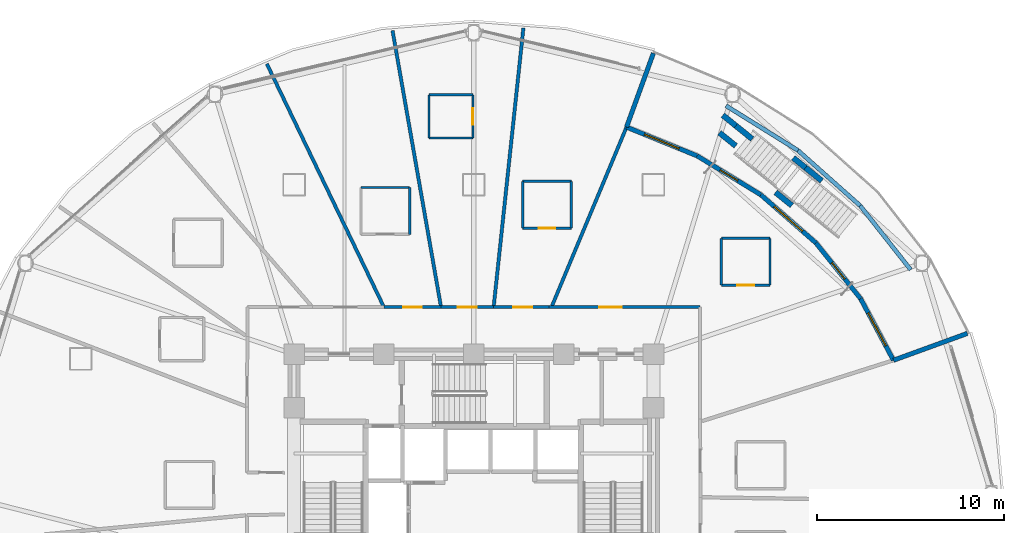
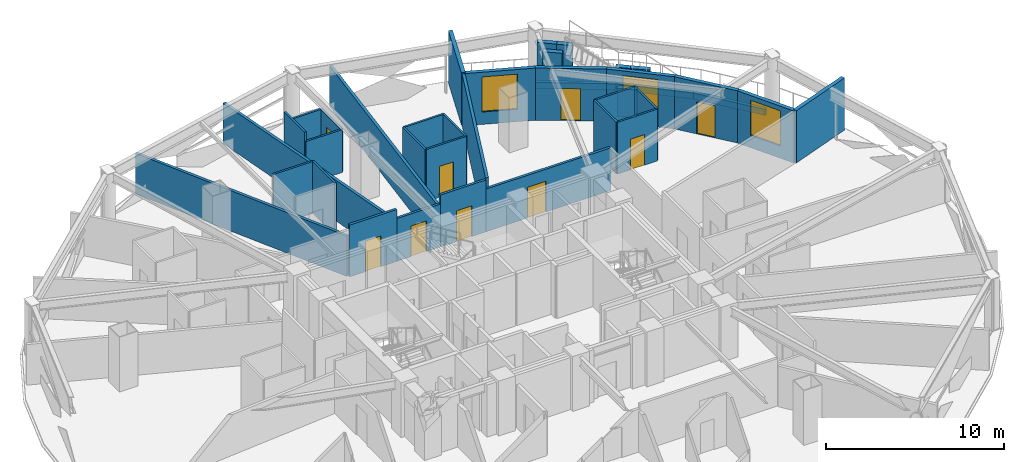
# One storey, part 27 of 33: 38 walls, 9 doors, 3 windows, 12 openings.
"""IFC4 building model written with IfcOpenShell, lengths in metres."""

from ifc_helpers import new_model, si_unit, direction, frame, frame_2d, origin, place, context, subcontext, project, spatial, rectangle, extrude, material, layer, layer_set, type_object, element, fill, save


model = new_model("IFC4")

# Units and contexts
model_context = context("Model", 3, precision=1e-05, world=origin(), true_north=direction((0.0, 1.0)))
body_context = subcontext(model_context, "Body", "Model", "MODEL_VIEW")
ifc_project = project(units=[si_unit("LENGTHUNIT", "METRE"), si_unit("AREAUNIT", "SQUARE_METRE"), si_unit("VOLUMEUNIT", "CUBIC_METRE"), si_unit("PLANEANGLEUNIT", "RADIAN"), si_unit("MASSUNIT", "GRAM", prefix="KILO")], contexts=[model_context])

# Site, building, storey
site_placement = place(None, origin())
site = spatial("IfcSite", under=ifc_project, at=site_placement, CompositionType="ELEMENT")
building_placement = place(site_placement, origin())
building = spatial("IfcBuilding", under=site, at=building_placement, Name="Vantalir Tower", CompositionType="ELEMENT")
storey_placement = place(building_placement, frame((0.0, 0.0, 68.25)))
storey = spatial("IfcBuildingStorey", under=building, at=storey_placement, Name="L16", CompositionType="ELEMENT", Elevation=68.25)

# Wall, opening, door
ifc_material_1 = material(Name="Moisture-resistant en-suite partition", Category="gypsum")
ifc_layer_1 = layer(ifc_material_1, 0.125)
ifc_layer_set_1 = layer_set([ifc_layer_1], Name="Moisture-resistant en-suite partition")
wall_type_1 = type_object("IfcWallType", Name="WL-BATH-125", PredefinedType="PARTITIONING", material=ifc_layer_set_1)
wall_1_placement = place(storey_placement, frame((44.72412109375, 36.137939453125, 0.0), z_axis=(0.0, 0.0, 1.0), x_axis=(1.0, 0.0, 0.0)))
wall_1 = element("IfcWall", 1, at=wall_1_placement, inside=storey, type_object=wall_type_1, Name="L16 En-suite 01 South Wall", PredefinedType="PARTITIONING", context=body_context, shape_type="SweptSolid", body=[
    extrude(rectangle(XDim=2.599853515625, YDim=0.125, at=frame_2d((1.2998046875, 0.0))), origin(), (0.0, 0.0, 1.0), 3.550048828125),
])
opening_1_placement = place(wall_1_placement, frame((0.85009765625, 0.0, 0.0)))
opening_1 = element("IfcOpeningElement", 2, at=opening_1_placement, cuts=wall_1, Name="Opening D-WC", PredefinedType="OPENING", context=body_context, shape_type="SweptSolid", body=[
    extrude(rectangle(XDim=0.89990234375, YDim=2.10009765625, at=frame_2d((0.449951171875, 1.050048828125))), frame((0.0, 0.072509765625, 0.0), z_axis=(0.0, -1.0, 0.0), x_axis=(1.0, 0.0, 0.0)), (0.0, 0.0, 1.0), 0.14501953125),
])
ifc_material_2 = material(Name="Moisture-resistant hardwood door", Category="wood")
door_type_1 = type_object("IfcDoorType", Name="DR-ENSUITE-900", OperationType="NOTDEFINED", PredefinedType="DOOR", material=ifc_material_2)
door_1_placement = place(opening_1_placement, origin())
door_1 = element("IfcDoor", 3, at=door_1_placement, inside=storey, type_object=door_type_1, Name="L16 En-suite 01 Door", OperationType="SINGLE_SWING_RIGHT", OverallHeight=2.10009765625, OverallWidth=0.89990234375, PredefinedType="DOOR", context=body_context, shape_type="SweptSolid", body=[
    extrude(rectangle(XDim=0.89990234375, YDim=2.10009765625, at=frame_2d((0.449951171875, 1.050048828125))), frame((0.0, 0.02490234375, 0.0), z_axis=(0.0, -1.0, 0.0), x_axis=(1.0, 0.0, 0.0)), (0.0, 0.0, 1.0), 0.050048828125),
])
fill(opening_1, door_1)

# Walls
wall_2_placement = place(storey_placement, frame((44.72412109375, 38.637939453125, 0.0), z_axis=(0.0, 0.0, 1.0), x_axis=(1.0, 0.0, 0.0)))
element("IfcWall", 4, at=wall_2_placement, inside=storey, type_object=wall_type_1, Name="L16 En-suite 01 North Wall", PredefinedType="PARTITIONING", context=body_context, shape_type="SweptSolid", body=[
    extrude(rectangle(XDim=2.599853515625, YDim=0.125, at=frame_2d((1.2998046875, 0.0))), origin(), (0.0, 0.0, 1.0), 3.550048828125),
])
for number, where, z_axis, x_axis, name in (
    (5, (44.72412109375, 36.137939453125, 0.0), (0.0, 0.0, 1.0), (0.0, 1.0, 0.0), "L16 En-suite 01 West Wall"),
    (6, (47.323974609375, 36.137939453125, 0.0), (0.0, 0.0, 1.0), (0.0, 1.0, 0.0), "L16 En-suite 01 East Wall"),
):
    element("IfcWall", number, at=place(storey_placement, frame(where, z_axis=z_axis, x_axis=x_axis)), inside=storey, type_object=wall_type_1, Name=name, PredefinedType="PARTITIONING", context=body_context, shape_type="SweptSolid", body=[
        extrude(rectangle(XDim=2.5, YDim=0.125, at=frame_2d((1.25, 0.0))), origin(), (0.0, 0.0, 1.0), 3.550048828125),
    ])

# Wall, opening, door
wall_3_placement = place(storey_placement, frame((34.110107421875, 39.18310546875, 0.0), z_axis=(0.0, 0.0, 1.0), x_axis=(1.0, 0.0, 0.0)))
wall_3 = element("IfcWall", 7, at=wall_3_placement, inside=storey, type_object=wall_type_1, Name="L16 En-suite 02 South Wall", PredefinedType="PARTITIONING", context=body_context, shape_type="SweptSolid", body=[
    extrude(rectangle(XDim=2.599853515625, YDim=0.125, at=frame_2d((1.2998046875, 0.0))), origin(), (0.0, 0.0, 1.0), 3.550048828125),
])
opening_2_placement = place(wall_3_placement, frame((0.85009765625, 0.0, 0.0)))
opening_2 = element("IfcOpeningElement", 8, at=opening_2_placement, cuts=wall_3, Name="Opening D-WC", PredefinedType="OPENING", context=body_context, shape_type="SweptSolid", body=[
    extrude(rectangle(XDim=0.89990234375, YDim=2.10009765625, at=frame_2d((0.449951171875, 1.050048828125))), frame((0.0, 0.072509765625, 0.0), z_axis=(0.0, -1.0, 0.0), x_axis=(1.0, 0.0, 0.0)), (0.0, 0.0, 1.0), 0.14501953125),
])
door_2_placement = place(opening_2_placement, origin())
door_2 = element("IfcDoor", 9, at=door_2_placement, inside=storey, type_object=door_type_1, Name="L16 En-suite 02 Door", OperationType="SINGLE_SWING_LEFT", OverallHeight=2.10009765625, OverallWidth=0.89990234375, PredefinedType="DOOR", context=body_context, shape_type="SweptSolid", body=[
    extrude(rectangle(XDim=0.89990234375, YDim=2.10009765625, at=frame_2d((0.449951171875, 1.050048828125))), frame((0.0, 0.02490234375, 0.0), z_axis=(0.0, -1.0, 0.0), x_axis=(1.0, 0.0, 0.0)), (0.0, 0.0, 1.0), 0.050048828125),
])
fill(opening_2, door_2)

# Walls
wall_4_placement = place(storey_placement, frame((34.110107421875, 41.68310546875, 0.0), z_axis=(0.0, 0.0, 1.0), x_axis=(1.0, 0.0, 0.0)))
element("IfcWall", 10, at=wall_4_placement, inside=storey, type_object=wall_type_1, Name="L16 En-suite 02 North Wall", PredefinedType="PARTITIONING", context=body_context, shape_type="SweptSolid", body=[
    extrude(rectangle(XDim=2.599853515625, YDim=0.125, at=frame_2d((1.2998046875, 0.0))), origin(), (0.0, 0.0, 1.0), 3.550048828125),
])
for number, where, z_axis, x_axis, name in (
    (11, (34.110107421875, 39.18310546875, 0.0), (0.0, 0.0, 1.0), (0.0, 1.0, 0.0), "L16 En-suite 02 West Wall"),
    (12, (36.7099609375, 39.18310546875, 0.0), (0.0, 0.0, 1.0), (0.0, 1.0, 0.0), "L16 En-suite 02 East Wall"),
):
    element("IfcWall", number, at=place(storey_placement, frame(where, z_axis=z_axis, x_axis=x_axis)), inside=storey, type_object=wall_type_1, Name=name, PredefinedType="PARTITIONING", context=body_context, shape_type="SweptSolid", body=[
        extrude(rectangle(XDim=2.5, YDim=0.125, at=frame_2d((1.25, 0.0))), origin(), (0.0, 0.0, 1.0), 3.550048828125),
    ])
for number, where, z_axis, x_axis, name in (
    (13, (29.10693359375, 44.001953125, 0.0), (0.0, 0.0, 1.0), (1.0, 0.0, 0.0), "L16 En-suite 03 South Wall"),
    (14, (29.10693359375, 46.302001953125, 0.0), (0.0, 0.0, 1.0), (1.0, 0.0, 0.0), "L16 En-suite 03 North Wall"),
):
    element("IfcWall", number, at=place(storey_placement, frame(where, z_axis=z_axis, x_axis=x_axis)), inside=storey, type_object=wall_type_1, Name=name, PredefinedType="PARTITIONING", context=body_context, shape_type="SweptSolid", body=[
        extrude(rectangle(XDim=2.35009765625, YDim=0.125, at=frame_2d((1.175048828125, 0.0))), origin(), (0.0, 0.0, 1.0), 2.927978515625),
    ])
wall_5_placement = place(storey_placement, frame((29.10693359375, 44.001953125, 0.0), z_axis=(0.0, 0.0, 1.0), x_axis=(0.0, 1.0, 0.0)))
element("IfcWall", 15, at=wall_5_placement, inside=storey, type_object=wall_type_1, Name="L16 En-suite 03 West Wall", PredefinedType="PARTITIONING", context=body_context, shape_type="SweptSolid", body=[
    extrude(rectangle(XDim=2.300048828125, YDim=0.125, at=frame_2d((1.14990234375, 0.0))), origin(), (0.0, 0.0, 1.0), 3.550048828125),
])

# Wall, opening, door
wall_6_placement = place(storey_placement, frame((31.45703125, 44.001953125, 0.0), z_axis=(0.0, 0.0, 1.0), x_axis=(0.0, 1.0, 0.0)))
wall_6 = element("IfcWall", 16, at=wall_6_placement, inside=storey, type_object=wall_type_1, Name="L16 En-suite 03 East Wall", PredefinedType="PARTITIONING", context=body_context, shape_type="SweptSolid", body=[
    extrude(rectangle(XDim=2.300048828125, YDim=0.125, at=frame_2d((1.14990234375, 0.0))), origin(), (0.0, 0.0, 1.0), 2.927978515625),
])
opening_3_placement = place(wall_6_placement, frame((0.699951171875, 0.0, 0.0)))
opening_3 = element("IfcOpeningElement", 17, at=opening_3_placement, cuts=wall_6, Name="Opening D-WC", PredefinedType="OPENING", context=body_context, shape_type="SweptSolid", body=[
    extrude(rectangle(XDim=0.89990234375, YDim=2.10009765625, at=frame_2d((0.449951171875, 1.050048828125))), frame((0.0, 0.072509765625, 0.0), z_axis=(0.0, -1.0, 0.0), x_axis=(1.0, 0.0, 0.0)), (0.0, 0.0, 1.0), 0.14501953125),
])
door_3_placement = place(opening_3_placement, origin())
door_3 = element("IfcDoor", 18, at=door_3_placement, inside=storey, type_object=door_type_1, Name="L16 En-suite 03 Door", OperationType="SINGLE_SWING_RIGHT", OverallHeight=2.10009765625, OverallWidth=0.89990234375, PredefinedType="DOOR", context=body_context, shape_type="SweptSolid", body=[
    extrude(rectangle(XDim=0.89990234375, YDim=2.10009765625, at=frame_2d((0.449951171875, 1.050048828125))), frame((0.0, 0.02490234375, 0.0), z_axis=(0.0, -1.0, 0.0), x_axis=(1.0, 0.0, 0.0)), (0.0, 0.0, 1.0), 0.050048828125),
])
fill(opening_3, door_3)

# Walls
wall_7_placement = place(storey_placement, frame((25.472900390625, 41.35693359375, 0.0), z_axis=(0.0, 0.0, 1.0), x_axis=(1.0, 0.0, 0.0)))
element("IfcWall", 19, at=wall_7_placement, inside=storey, type_object=wall_type_1, Name="L16 En-suite 04 North Wall", PredefinedType="PARTITIONING", context=body_context, shape_type="SweptSolid", body=[
    extrude(rectangle(XDim=2.60009765625, YDim=0.125, at=frame_2d((1.300048828125, 0.0))), origin(), (0.0, 0.0, 1.0), 3.550048828125),
])
wall_8_placement = place(storey_placement, frame((28.072998046875, 38.85693359375, 0.0), z_axis=(0.0, 0.0, 1.0), x_axis=(0.0, 1.0, 0.0)))
element("IfcWall", 20, at=wall_8_placement, inside=storey, type_object=wall_type_1, Name="L16 En-suite 04 East Wall", PredefinedType="PARTITIONING", context=body_context, shape_type="SweptSolid", body=[
    extrude(rectangle(XDim=2.5, YDim=0.125, at=frame_2d((1.25, 0.0))), origin(), (0.0, 0.0, 1.0), 3.550048828125),
])

# Wall, opening, door
ifc_material_3 = material(Name="Fire-rated hotel corridor acoustic partition", Category="gypsum")
ifc_layer_2 = layer(ifc_material_3, 0.159912109375)
ifc_layer_set_2 = layer_set([ifc_layer_2], Name="Fire-rated hotel corridor acoustic partition")
wall_type_2 = type_object("IfcWallType", Name="WL-CORR-160", PredefinedType="PARTITIONING", material=ifc_layer_set_2)
wall_9_placement = place(storey_placement, frame((26.705078125, 34.9599609375, 0.0), z_axis=(0.0, 0.0, 1.0), x_axis=(1.0, 0.0, 0.0)))
wall_9 = element("IfcWall", 21, at=wall_9_placement, inside=storey, type_object=wall_type_2, Name="L16 Corridor Partition 07", PredefinedType="PARTITIONING", context=body_context, shape_type="SweptSolid", body=[
    extrude(rectangle(XDim=3.0478515625, YDim=0.159912109375, at=frame_2d((1.52392578125, 0.0))), origin(), (0.0, 0.0, 1.0), 3.550048828125),
])
opening_4_placement = place(wall_9_placement, frame((1.02392578125, 0.0, 0.0)))
opening_4 = element("IfcOpeningElement", 22, at=opening_4_placement, cuts=wall_9, Name="Opening D-GUEST", PredefinedType="OPENING", context=body_context, shape_type="SweptSolid", body=[
    extrude(rectangle(XDim=1.0, YDim=2.10009765625, at=frame_2d((0.5, 1.050048828125))), frame((0.0, 0.08984375, 0.0), z_axis=(0.0, -1.0, 0.0), x_axis=(1.0, 0.0, 0.0)), (0.0, 0.0, 1.0), 0.179931640625),
])
ifc_material_4 = material(Name="Solid-core teak veneer acoustic fire door", Category="wood")
door_type_2 = type_object("IfcDoorType", Name="DR-GUEST-ENTRY-1000", OperationType="NOTDEFINED", PredefinedType="DOOR", material=ifc_material_4)
door_4_placement = place(opening_4_placement, origin())
door_4 = element("IfcDoor", 23, at=door_4_placement, inside=storey, type_object=door_type_2, Name="L16 Deluxe King Hotel Room 04 Door", OperationType="SINGLE_SWING_LEFT", OverallHeight=2.10009765625, OverallWidth=1.0, PredefinedType="DOOR", context=body_context, shape_type="SweptSolid", body=[
    extrude(rectangle(XDim=1.0, YDim=2.10009765625, at=frame_2d((0.5, 1.050048828125))), frame((0.0, 0.02490234375, 0.0), z_axis=(0.0, -1.0, 0.0), x_axis=(1.0, 0.0, 0.0)), (0.0, 0.0, 1.0), 0.050048828125),
])
fill(opening_4, door_4)

wall_10_placement = place(storey_placement, frame((29.7529296875, 34.9599609375, 0.0), z_axis=(0.0, 0.0, 1.0), x_axis=(1.0, 0.0, 0.0)))
wall_10 = element("IfcWall", 24, at=wall_10_placement, inside=storey, type_object=wall_type_2, Name="L16 Corridor Partition 08", PredefinedType="PARTITIONING", context=body_context, shape_type="SweptSolid", body=[
    extrude(rectangle(XDim=2.80908203125, YDim=0.159912109375, at=frame_2d((1.404541015625, 0.0))), origin(), (0.0, 0.0, 1.0), 2.927978515625),
])
opening_5_placement = place(wall_10_placement, frame((0.904052734375, 0.0, 0.0)))
opening_5 = element("IfcOpeningElement", 25, at=opening_5_placement, cuts=wall_10, Name="Opening D-GUEST", PredefinedType="OPENING", context=body_context, shape_type="SweptSolid", body=[
    extrude(rectangle(XDim=1.0, YDim=2.10009765625, at=frame_2d((0.5, 1.050048828125))), frame((0.0, 0.08984375, 0.0), z_axis=(0.0, -1.0, 0.0), x_axis=(1.0, 0.0, 0.0)), (0.0, 0.0, 1.0), 0.179931640625),
])
door_5_placement = place(opening_5_placement, origin())
door_5 = element("IfcDoor", 26, at=door_5_placement, inside=storey, type_object=door_type_2, Name="L16 Deluxe King Hotel Room 03 Door", OperationType="SINGLE_SWING_RIGHT", OverallHeight=2.10009765625, OverallWidth=1.0, PredefinedType="DOOR", context=body_context, shape_type="SweptSolid", body=[
    extrude(rectangle(XDim=1.0, YDim=2.10009765625, at=frame_2d((0.5, 1.050048828125))), frame((0.0, 0.02490234375, 0.0), z_axis=(0.0, -1.0, 0.0), x_axis=(1.0, 0.0, 0.0)), (0.0, 0.0, 1.0), 0.050048828125),
])
fill(opening_5, door_5)

wall_11_placement = place(storey_placement, frame((32.56201171875, 34.9599609375, 0.0), z_axis=(0.0, 0.0, 1.0), x_axis=(1.0, 0.0, 0.0)))
wall_11 = element("IfcWall", 27, at=wall_11_placement, inside=storey, type_object=wall_type_2, Name="L16 Corridor Partition 09", PredefinedType="PARTITIONING", context=body_context, shape_type="SweptSolid", body=[
    extrude(rectangle(XDim=2.951904296875, YDim=0.159912109375, at=frame_2d((1.47607421875, 0.0))), origin(), (0.0, 0.0, 1.0), 3.550048828125),
])
opening_6_placement = place(wall_11_placement, frame((1.050048828125, 0.0, 0.0)))
opening_6 = element("IfcOpeningElement", 28, at=opening_6_placement, cuts=wall_11, Name="Opening D-GUEST", PredefinedType="OPENING", context=body_context, shape_type="SweptSolid", body=[
    extrude(rectangle(XDim=1.0, YDim=2.10009765625, at=frame_2d((0.5, 1.050048828125))), frame((0.0, 0.08984375, 0.0), z_axis=(0.0, -1.0, 0.0), x_axis=(1.0, 0.0, 0.0)), (0.0, 0.0, 1.0), 0.179931640625),
])
door_6_placement = place(opening_6_placement, origin())
door_6 = element("IfcDoor", 29, at=door_6_placement, inside=storey, type_object=door_type_2, Name="L16 Twin Queen Hotel Room 02 Door", OperationType="SINGLE_SWING_LEFT", OverallHeight=2.10009765625, OverallWidth=1.0, PredefinedType="DOOR", context=body_context, shape_type="SweptSolid", body=[
    extrude(rectangle(XDim=1.0, YDim=2.10009765625, at=frame_2d((0.5, 1.050048828125))), frame((0.0, 0.02490234375, 0.0), z_axis=(0.0, -1.0, 0.0), x_axis=(1.0, 0.0, 0.0)), (0.0, 0.0, 1.0), 0.050048828125),
])
fill(opening_6, door_6)

wall_12_placement = place(storey_placement, frame((35.513916015625, 34.9599609375, 0.0), z_axis=(0.0, 0.0, 1.0), x_axis=(1.0, 0.0, 0.0)))
wall_12 = element("IfcWall", 30, at=wall_12_placement, inside=storey, type_object=wall_type_2, Name="L16 Corridor Partition 10", PredefinedType="PARTITIONING", context=body_context, shape_type="SweptSolid", body=[
    extrude(rectangle(XDim=8.080078125, YDim=0.159912109375, at=frame_2d((4.0400390625, 0.0))), origin(), (0.0, 0.0, 1.0), 2.927978515625),
])
opening_7_placement = place(wall_12_placement, frame((2.695068359375, 0.0, 0.0)))
opening_7 = element("IfcOpeningElement", 31, at=opening_7_placement, cuts=wall_12, Name="Opening D-STE", PredefinedType="OPENING", context=body_context, shape_type="SweptSolid", body=[
    extrude(rectangle(XDim=1.199951171875, YDim=2.10009765625, at=frame_2d((0.60009765625, 1.050048828125))), frame((0.0, 0.08984375, 0.0), z_axis=(0.0, -1.0, 0.0), x_axis=(1.0, 0.0, 0.0)), (0.0, 0.0, 1.0), 0.179931640625),
])
ifc_material_5 = material(Name="Solid-core teak veneer suite entrance door", Category="wood")
door_type_3 = type_object("IfcDoorType", Name="DR-SUITE-ENTRY-1200", OperationType="NOTDEFINED", PredefinedType="DOOR", material=ifc_material_5)
door_7_placement = place(opening_7_placement, origin())
door_7 = element("IfcDoor", 32, at=door_7_placement, inside=storey, type_object=door_type_3, Name="L16 Corner Panorama Hotel Suite 01 Door", OperationType="SINGLE_SWING_RIGHT", OverallHeight=2.10009765625, OverallWidth=1.199951171875, PredefinedType="DOOR", context=body_context, shape_type="SweptSolid", body=[
    extrude(rectangle(XDim=1.199951171875, YDim=2.10009765625, at=frame_2d((0.60009765625, 1.050048828125))), frame((0.0, 0.02490234375, 0.0), z_axis=(0.0, -1.0, 0.0), x_axis=(1.0, 0.0, 0.0)), (0.0, 0.0, 1.0), 0.050048828125),
])
fill(opening_7, door_7)

# Walls
ifc_material_6 = material(Name="Precast concrete C40/50 insulated sky-garden wall", Category="concrete")
ifc_layer_3 = layer(ifc_material_6, 0.239990234375)
ifc_layer_set_3 = layer_set([ifc_layer_3], Name="Precast concrete C40/50 insulated sky-garden wall")
wall_type_3 = type_object("IfcWallType", Name="WL-EXT-SG-240", PredefinedType="SOLIDWALL", material=ifc_layer_set_3)
wall_13_placement = place(storey_placement, frame((57.867919921875, 33.56396484375, 0.0), z_axis=(0.0, 0.0, 1.0), x_axis=(-0.939660987195, -0.342107043399, 0.0)))
element("IfcWall", 33, at=wall_13_placement, inside=storey, type_object=wall_type_3, Name="L16 SG1 Sky-Garden Return Wall A", PredefinedType="SOLIDWALL", context=body_context, shape_type="SweptSolid", body=[
    extrude(rectangle(XDim=4.200439453125, YDim=0.239990234375, at=frame_2d((2.10009765625, 0.0))), origin(), (0.0, 0.0, 1.0), 3.570068359375),
])
wall_14_placement = place(storey_placement, frame((39.660888671875, 44.58203125, 0.0), z_axis=(0.0, 0.0, 1.0), x_axis=(0.341901740091, 0.939735707592, 0.0)))
element("IfcWall", 34, at=wall_14_placement, inside=storey, type_object=wall_type_3, Name="L16 SG1 Sky-Garden Return Wall B", PredefinedType="SOLIDWALL", context=body_context, shape_type="SweptSolid", body=[
    extrude(rectangle(XDim=4.2001953125, YDim=0.239990234375, at=frame_2d((2.10009765625, 0.0))), origin(), (0.0, 0.0, 1.0), 3.570068359375),
])

# Wall, opening, window
wall_15_placement = place(storey_placement, frame((53.9208984375, 32.126953125, 0.0), z_axis=(0.0, 0.0, 1.0), x_axis=(-0.471022801321, 0.88212103514, 0.0)))
wall_15 = element("IfcWall", 35, at=wall_15_placement, inside=storey, type_object=wall_type_3, Name="L16 SG1 Sky-Garden Lounge Wall 1", PredefinedType="SOLIDWALL", context=body_context, shape_type="SweptSolid", body=[
    extrude(rectangle(XDim=3.73193359375, YDim=0.239990234375, at=frame_2d((1.865966796875, 0.0))), origin(), (0.0, 0.0, 1.0), 3.570068359375),
])
opening_8_placement = place(wall_15_placement, frame((0.865966796875, 0.0, 0.85009765625)))
opening_8 = element("IfcOpeningElement", 36, at=opening_8_placement, cuts=wall_15, Name="Opening WN-3", PredefinedType="OPENING", context=body_context, shape_type="SweptSolid", body=[
    extrude(rectangle(XDim=2.0, YDim=2.39990234375, at=frame_2d((1.0, 1.199951171875))), frame((0.0, 0.1298828125, 0.0), z_axis=(0.0, -1.0, 0.0), x_axis=(1.0, 0.0, 0.0)), (0.0, 0.0, 1.0), 0.260009765625),
])
ifc_material_7 = material(Name="Double-silver Low-E sky-garden lounge window", Category="glass")
window_type = type_object("IfcWindowType", Name="WIN-SG-2000x2400", PartitioningType="SINGLE_PANEL", PredefinedType="WINDOW", material=ifc_material_7)
window_1_placement = place(opening_8_placement, origin())
window_1 = element("IfcWindow", 37, at=window_1_placement, inside=storey, type_object=window_type, Name="L16 SG1 Sky-Garden Window 1", OverallHeight=2.39990234375, OverallWidth=2.0, PartitioningType="SINGLE_PANEL", PredefinedType="WINDOW", context=body_context, shape_type="SweptSolid", body=[
    extrude(rectangle(XDim=2.0, YDim=2.39990234375, at=frame_2d((1.0, 1.199951171875))), frame((0.0, 0.030029296875, 0.0), z_axis=(0.0, -1.0, 0.0), x_axis=(1.0, 0.0, 0.0)), (0.0, 0.0, 1.0), 0.06005859375),
])
fill(opening_8, window_1)

# Wall, opening, door
wall_16_placement = place(storey_placement, frame((52.1630859375, 35.4189453125, 0.0), z_axis=(0.0, 0.0, 1.0), x_axis=(-0.625358387722, 0.780337674924, 0.0)))
wall_16 = element("IfcWall", 38, at=wall_16_placement, inside=storey, type_object=wall_type_3, Name="L16 SG1 Sky-Garden Lounge Wall 2", PredefinedType="SOLIDWALL", context=body_context, shape_type="SweptSolid", body=[
    extrude(rectangle(XDim=3.813720703125, YDim=0.239990234375, at=frame_2d((1.90673828125, 0.0))), origin(), (0.0, 0.0, 1.0), 3.570068359375),
])
opening_9_placement = place(wall_16_placement, frame((1.35693359375, 0.0, 0.0)))
opening_9 = element("IfcOpeningElement", 39, at=opening_9_placement, cuts=wall_16, Name="Opening D-TR", PredefinedType="OPENING", context=body_context, shape_type="SweptSolid", body=[
    extrude(rectangle(XDim=1.10009765625, YDim=2.199951171875, at=frame_2d((0.550048828125, 1.10009765625))), frame((0.0, 0.1298828125, 0.0), z_axis=(0.0, -1.0, 0.0), x_axis=(1.0, 0.0, 0.0)), (0.0, 0.0, 1.0), 0.260009765625),
])
ifc_material_8 = material(Name="Thermally broken Low-E glazed terrace door", Category="steel")
door_type_4 = type_object("IfcDoorType", Name="DR-EXT-TERR-1100", OperationType="NOTDEFINED", PredefinedType="DOOR", material=ifc_material_8)
door_8_placement = place(opening_9_placement, frame((1.10009765625, 0.0, 0.0), z_axis=(0.0, 0.0, 1.0), x_axis=(-1.0, 0.0, 0.0)))
door_8 = element("IfcDoor", 40, at=door_8_placement, inside=storey, type_object=door_type_4, Name="L16 SG1 Sky-Garden Terrace Door 1", OperationType="SINGLE_SWING_LEFT", OverallHeight=2.199951171875, OverallWidth=1.10009765625, PredefinedType="DOOR", context=body_context, shape_type="SweptSolid", body=[
    extrude(rectangle(XDim=1.10009765625, YDim=2.199951171875, at=frame_2d((0.550048828125, 1.10009765625))), frame((0.0, 0.02490234375, 0.0), z_axis=(0.0, -1.0, 0.0), x_axis=(1.0, 0.0, 0.0)), (0.0, 0.0, 1.0), 0.050048828125),
])
fill(opening_9, door_8)

# Wall, opening, window
wall_17_placement = place(storey_placement, frame((49.778076171875, 38.39501953125, 0.0), z_axis=(0.0, 0.0, 1.0), x_axis=(-0.753137964346, 0.657862604699, 0.0)))
wall_17 = element("IfcWall", 41, at=wall_17_placement, inside=storey, type_object=wall_type_3, Name="L16 SG1 Sky-Garden Lounge Wall 3", PredefinedType="SOLIDWALL", context=body_context, shape_type="SweptSolid", body=[
    extrude(rectangle(XDim=3.9052734375, YDim=0.239990234375, at=frame_2d((1.95263671875, 0.0))), origin(), (0.0, 0.0, 1.0), 3.570068359375),
])
opening_10_placement = place(wall_17_placement, frame((0.952880859375, 0.0, 0.85009765625)))
opening_10 = element("IfcOpeningElement", 42, at=opening_10_placement, cuts=wall_17, Name="Opening WN-3", PredefinedType="OPENING", context=body_context, shape_type="SweptSolid", body=[
    extrude(rectangle(XDim=2.0, YDim=2.39990234375, at=frame_2d((1.0, 1.199951171875))), frame((0.0, 0.1298828125, 0.0), z_axis=(0.0, -1.0, 0.0), x_axis=(1.0, 0.0, 0.0)), (0.0, 0.0, 1.0), 0.260009765625),
])
window_2_placement = place(opening_10_placement, origin())
window_2 = element("IfcWindow", 43, at=window_2_placement, inside=storey, type_object=window_type, Name="L16 SG1 Sky-Garden Window 3", OverallHeight=2.39990234375, OverallWidth=2.0, PartitioningType="SINGLE_PANEL", PredefinedType="WINDOW", context=body_context, shape_type="SweptSolid", body=[
    extrude(rectangle(XDim=2.0, YDim=2.39990234375, at=frame_2d((1.0, 1.199951171875))), frame((0.0, 0.030029296875, 0.0), z_axis=(0.0, -1.0, 0.0), x_axis=(1.0, 0.0, 0.0)), (0.0, 0.0, 1.0), 0.06005859375),
])
fill(opening_10, window_2)

# Wall, opening, door
wall_18_placement = place(storey_placement, frame((46.8369140625, 40.964111328125, 0.0), z_axis=(0.0, 0.0, 1.0), x_axis=(-0.853174515751, 0.521625579964, 0.0)))
wall_18 = element("IfcWall", 44, at=wall_18_placement, inside=storey, type_object=wall_type_3, Name="L16 SG1 Sky-Garden Lounge Wall 4", PredefinedType="SOLIDWALL", context=body_context, shape_type="SweptSolid", body=[
    extrude(rectangle(XDim=3.993408203125, YDim=0.239990234375, at=frame_2d((1.99658203125, 0.0))), origin(), (0.0, 0.0, 1.0), 3.570068359375),
])
opening_11_placement = place(wall_18_placement, frame((1.447021484375, 0.0, 0.0)))
opening_11 = element("IfcOpeningElement", 45, at=opening_11_placement, cuts=wall_18, Name="Opening D-TR", PredefinedType="OPENING", context=body_context, shape_type="SweptSolid", body=[
    extrude(rectangle(XDim=1.10009765625, YDim=2.199951171875, at=frame_2d((0.550048828125, 1.10009765625))), frame((0.0, 0.1298828125, 0.0), z_axis=(0.0, -1.0, 0.0), x_axis=(1.0, 0.0, 0.0)), (0.0, 0.0, 1.0), 0.260009765625),
])
door_9_placement = place(opening_11_placement, frame((1.10009765625, 0.0, 0.0), z_axis=(0.0, 0.0, 1.0), x_axis=(-1.0, 0.0, 0.0)))
door_9 = element("IfcDoor", 46, at=door_9_placement, inside=storey, type_object=door_type_4, Name="L16 SG1 Sky-Garden Terrace Door 3", OperationType="SINGLE_SWING_RIGHT", OverallHeight=2.199951171875, OverallWidth=1.10009765625, PredefinedType="DOOR", context=body_context, shape_type="SweptSolid", body=[
    extrude(rectangle(XDim=1.10009765625, YDim=2.199951171875, at=frame_2d((0.550048828125, 1.10009765625))), frame((0.0, 0.02490234375, 0.0), z_axis=(0.0, -1.0, 0.0), x_axis=(1.0, 0.0, 0.0)), (0.0, 0.0, 1.0), 0.050048828125),
])
fill(opening_11, door_9)

# Wall, opening, window
wall_19_placement = place(storey_placement, frame((43.429931640625, 43.047119140625, 0.0), z_axis=(0.0, 0.0, 1.0), x_axis=(-0.926145919151, 0.377165396664, 0.0)))
wall_19 = element("IfcWall", 47, at=wall_19_placement, inside=storey, type_object=wall_type_3, Name="L16 SG1 Sky-Garden Lounge Wall 5", PredefinedType="SOLIDWALL", context=body_context, shape_type="SweptSolid", body=[
    extrude(rectangle(XDim=4.069580078125, YDim=0.239990234375, at=frame_2d((2.03466796875, 0.0))), origin(), (0.0, 0.0, 1.0), 3.570068359375),
])
opening_12_placement = place(wall_19_placement, frame((1.034912109375, 0.0, 0.85009765625)))
opening_12 = element("IfcOpeningElement", 48, at=opening_12_placement, cuts=wall_19, Name="Opening WN-3", PredefinedType="OPENING", context=body_context, shape_type="SweptSolid", body=[
    extrude(rectangle(XDim=2.0, YDim=2.39990234375, at=frame_2d((1.0, 1.199951171875))), frame((0.0, 0.1298828125, 0.0), z_axis=(0.0, -1.0, 0.0), x_axis=(1.0, 0.0, 0.0)), (0.0, 0.0, 1.0), 0.260009765625),
])
window_3_placement = place(opening_12_placement, origin())
window_3 = element("IfcWindow", 49, at=window_3_placement, inside=storey, type_object=window_type, Name="L16 SG1 Sky-Garden Window 5", OverallHeight=2.39990234375, OverallWidth=2.0, PartitioningType="SINGLE_PANEL", PredefinedType="WINDOW", context=body_context, shape_type="SweptSolid", body=[
    extrude(rectangle(XDim=2.0, YDim=2.39990234375, at=frame_2d((1.0, 1.199951171875))), frame((0.0, 0.030029296875, 0.0), z_axis=(0.0, -1.0, 0.0), x_axis=(1.0, 0.0, 0.0)), (0.0, 0.0, 1.0), 0.06005859375),
])
fill(opening_12, window_3)

# Walls
ifc_material_9 = material(Name="Twin-stud acoustic fire-rated gypsum partition", Category="gypsum")
ifc_layer_4 = layer(ifc_material_9, 0.179931640625)
ifc_layer_set_4 = layer_set([ifc_layer_4], Name="Twin-stud acoustic fire-rated gypsum partition")
wall_type_4 = type_object("IfcWallType", Name="WL-GUEST-180", PredefinedType="PARTITIONING", material=ifc_layer_set_4)
wall_20_placement = place(storey_placement, frame((35.68408203125, 35.0400390625, 0.0), z_axis=(0.0, 0.0, 1.0), x_axis=(0.384695876296, 0.923043380758, 0.0)))
element("IfcWall", 50, at=wall_20_placement, inside=storey, type_object=wall_type_4, Name="L16 Radial Suite Partition 02", PredefinedType="PARTITIONING", context=body_context, shape_type="SweptSolid", body=[
    extrude(rectangle(XDim=10.337646484375, YDim=0.179931640625, at=frame_2d((5.1689453125, 0.0))), origin(), (0.0, 0.0, 1.0), 3.550048828125),
])
wall_21_placement = place(storey_placement, frame((32.570068359375, 35.0400390625, 0.0), z_axis=(0.0, 0.0, 1.0), x_axis=(0.105987510867, 0.994367461022, 0.0)))
element("IfcWall", 51, at=wall_21_placement, inside=storey, type_object=wall_type_4, Name="L16 Radial Suite Partition 03", PredefinedType="PARTITIONING", context=body_context, shape_type="SweptSolid", body=[
    extrude(rectangle(XDim=14.9150390625, YDim=0.179931640625, at=frame_2d((7.45751953125, 0.0))), origin(), (0.0, 0.0, 1.0), 2.77490234375),
])
wall_22_placement = place(storey_placement, frame((29.739013671875, 35.0400390625, 0.0), z_axis=(0.0, 0.0, 1.0), x_axis=(-0.172757711698, 0.984964351156, 0.0)))
element("IfcWall", 52, at=wall_22_placement, inside=storey, type_object=wall_type_4, Name="L16 Radial Suite Partition 04", PredefinedType="PARTITIONING", context=body_context, shape_type="SweptSolid", body=[
    extrude(rectangle(XDim=14.92333984375, YDim=0.179931640625, at=frame_2d((7.461669921875, 0.0))), origin(), (0.0, 0.0, 1.0), 2.77490234375),
])
wall_23_placement = place(storey_placement, frame((26.666015625, 35.0400390625, 0.0), z_axis=(0.0, 0.0, 1.0), x_axis=(-0.433744999287, 0.901035668325, 0.0)))
element("IfcWall", 53, at=wall_23_placement, inside=storey, type_object=wall_type_4, Name="L16 Radial Suite Partition 05", PredefinedType="PARTITIONING", context=body_context, shape_type="SweptSolid", body=[
    extrude(rectangle(XDim=14.3447265625, YDim=0.179931640625, at=frame_2d((7.17236328125, 0.0))), origin(), (0.0, 0.0, 1.0), 2.77490234375),
])
ifc_material_10 = material(Name="Concrete C40/50 sky-garden PLANTER kerb", Category="concrete")
ifc_layer_5 = layer(ifc_material_10, 0.219970703125)
ifc_layer_set_5 = layer_set([ifc_layer_5], Name="Concrete C40/50 sky-garden PLANTER kerb")
wall_type_5 = type_object("IfcWallType", Name="WL-PLANTER-220", PredefinedType="PARAPET", material=ifc_layer_set_5)
wall_24_placement = place(storey_placement, frame((54.839111328125, 36.964111328125, 0.0), z_axis=(0.0, 0.0, 1.0), x_axis=(-0.619143888711, 0.785277559257, 0.0)))
element("IfcWall", 54, at=wall_24_placement, inside=storey, type_object=wall_type_5, Name="L16 SG1 Tropical Sky-Garden PLANTER Bed 1", PredefinedType="PARAPET", context=body_context, shape_type="SweptSolid", body=[
    extrude(rectangle(XDim=4.351318359375, YDim=0.219970703125, at=frame_2d((2.17578125, 0.0))), origin(), (0.0, 0.0, 1.0), 0.419921875),
])
wall_25_placement = place(storey_placement, frame((52.14501953125, 40.381103515625, 0.0), z_axis=(0.0, 0.0, 1.0), x_axis=(-0.747739699638, 0.663991974037, 0.0)))
element("IfcWall", 55, at=wall_25_placement, inside=storey, type_object=wall_type_5, Name="L16 SG1 Tropical Sky-Garden PLANTER Bed 2", PredefinedType="PARAPET", context=body_context, shape_type="SweptSolid", body=[
    extrude(rectangle(XDim=4.44287109375, YDim=0.219970703125, at=frame_2d((2.221435546875, 0.0))), origin(), (0.0, 0.0, 1.0), 0.419921875),
])
wall_26_placement = place(storey_placement, frame((48.822998046875, 43.3310546875, 0.0), z_axis=(0.0, 0.0, 1.0), x_axis=(-0.849294467014, 0.527919414589, 0.0)))
element("IfcWall", 56, at=wall_26_placement, inside=storey, type_object=wall_type_5, Name="L16 SG1 Tropical Sky-Garden PLANTER Bed 3", PredefinedType="PARAPET", context=body_context, shape_type="SweptSolid", body=[
    extrude(rectangle(XDim=4.53076171875, YDim=0.219970703125, at=frame_2d((2.265380859375, 0.0))), origin(), (0.0, 0.0, 1.0), 0.419921875),
])
ifc_material_11 = material(Name="Concrete C50/60", Category="concrete")
ifc_layer_6 = layer(ifc_material_11, 0.300048828125)
ifc_layer_set_6 = layer_set([ifc_layer_6], Name="Concrete C50/60")
wall_type_6 = type_object("IfcWallType", Name="WL-STAIR-300", PredefinedType="SHEAR", material=ifc_layer_set_6)
wall_27_placement = place(storey_placement, frame((50.093994140625, 41.7099609375, 0.0), z_axis=(0.0, 0.0, 1.0), x_axis=(-0.777711646701, 0.628621185282, 0.0)))
element("IfcWall", 57, at=wall_27_placement, inside=storey, type_object=wall_type_6, Name="L16 Sky Garden Stair SG1 Support Pier M1", PredefinedType="SHEAR", context=body_context, shape_type="SweptSolid", body=[
    extrude(rectangle(XDim=1.1201171875, YDim=0.300048828125, at=frame_2d((0.56005859375, 0.0))), origin(), (0.0, 0.0, 1.0), 1.919921875),
])
wall_28_placement = place(storey_placement, frame((49.43994140625, 42.238037109375, 0.0), z_axis=(0.0, 0.0, 1.0), x_axis=(-0.777732080873, 0.628595903885, 0.0)))
element("IfcWall", 58, at=wall_28_placement, inside=storey, type_object=wall_type_6, Name="L16 Sky Garden Stair SG1 Support Pier M2", PredefinedType="SHEAR", context=body_context, shape_type="SweptSolid", body=[
    extrude(rectangle(XDim=1.11962890625, YDim=0.300048828125, at=frame_2d((0.559814453125, 0.0))), origin(), (0.0, 0.0, 1.0), 1.919921875),
])
wall_29_placement = place(storey_placement, frame((48.491943359375, 40.39501953125, 0.0), z_axis=(0.0, 0.0, 1.0), x_axis=(-0.777969850013, 0.628301609476, 0.0)))
element("IfcWall", 59, at=wall_29_placement, inside=storey, type_object=wall_type_6, Name="L16 Sky Garden Stair SG1 Support Pier M3", PredefinedType="SHEAR", context=body_context, shape_type="SweptSolid", body=[
    extrude(rectangle(XDim=1.12060546875, YDim=0.300048828125, at=frame_2d((0.560302734375, 0.0))), origin(), (0.0, 0.0, 1.0), 1.919921875),
])
for number, where, z_axis, x_axis, name in (
    (60, (46.375, 43.948974609375, 0.0), (0.0, 0.0, 1.0), (-0.778055830294, 0.628195132858, 0.0), "L16 Sky Garden Stair SG1 Support Pier T1"),
    (61, (45.675048828125, 44.513916015625, 0.0), (0.0, 0.0, 1.0), (-0.778055830294, 0.628195132858, 0.0), "L16 Sky Garden Stair SG1 Support Pier T2"),
):
    element("IfcWall", number, at=place(storey_placement, frame(where, z_axis=z_axis, x_axis=x_axis)), inside=storey, type_object=wall_type_6, Name=name, PredefinedType="SHEAR", context=body_context, shape_type="SweptSolid", body=[
        extrude(rectangle(XDim=1.120849609375, YDim=0.300048828125, at=frame_2d((0.560546875, 0.0))), origin(), (0.0, 0.0, 1.0), 3.550048828125),
    ])
wall_30_placement = place(storey_placement, frame((45.4970703125, 43.577880859375, 0.0), z_axis=(0.0, 0.0, 1.0), x_axis=(-0.777711646701, 0.628621185282, 0.0)))
element("IfcWall", 62, at=wall_30_placement, inside=storey, type_object=wall_type_6, Name="L16 Sky Garden Stair SG1 Support Pier T3", PredefinedType="SHEAR", context=body_context, shape_type="SweptSolid", body=[
    extrude(rectangle(XDim=1.1201171875, YDim=0.300048828125, at=frame_2d((0.56005859375, 0.0))), origin(), (0.0, 0.0, 1.0), 3.550048828125),
])

save(model, "model.ifc")
